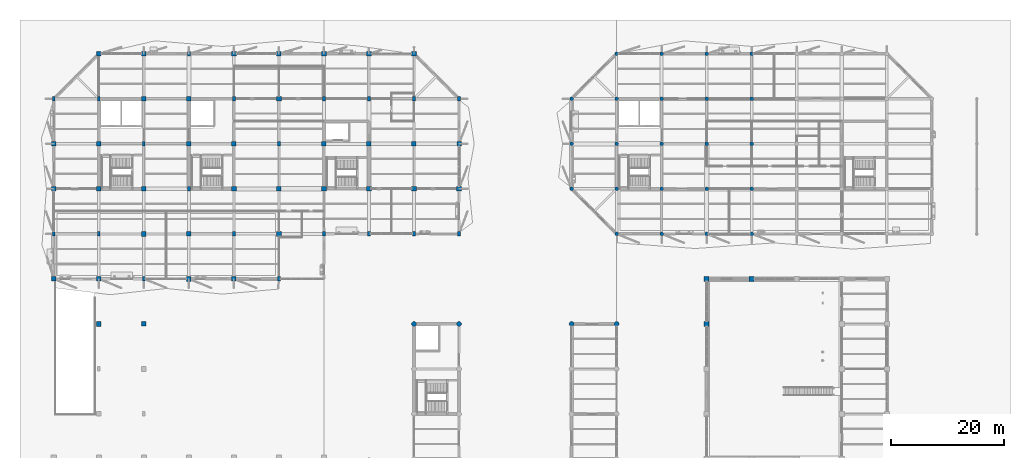
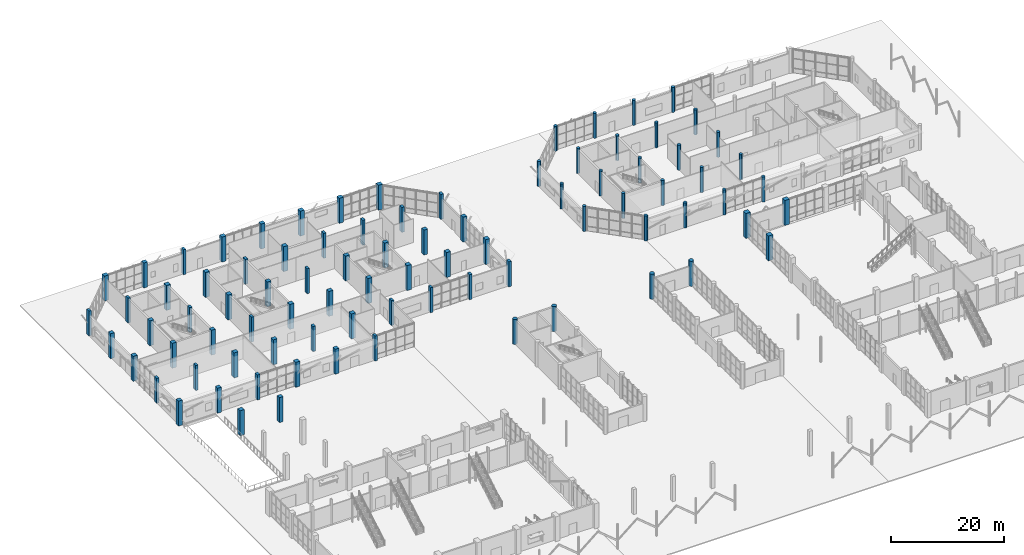
# One storey, part 11 of 123: 86 columns.
"""IFC4 building model written with IfcOpenShell, lengths in metres."""

import ifcopenshell
import ifcopenshell.guid

model = None  # the IFC model being written
_history = None  # IfcOwnerHistory: only IFC2X3 demands one
_inside = {}  # id of a spatial element -> (the spatial element, [elements in it])
_under = {}  # id of a project, library or spatial element -> (it, [spatial elements below it])
_declared = {}  # id of a project -> (the project, [libraries it declares])
_typed = {}  # id of a type object -> (the type object, [elements of that type])
_made_of = {}  # id of a material, layer set ... -> (it, [elements and type objects made of it])


def new_model(schema):
    """Start an empty IFC model of exactly this schema.

    Asked for "IFC4X3", IfcOpenShell would pick the latest addendum, in which some entities
    have other attributes; the version numbers below select the first issue.
    IFC2X3 requires an IfcOwnerHistory on every rooted entity: one is made here for all.
    """
    global model, _history
    if schema == "IFC4X3":
        model = ifcopenshell.file(schema_version=(4, 3, 0, 0))
    else:
        model = ifcopenshell.file(schema=schema)
    _inside.clear()
    _under.clear()
    _declared.clear()
    _typed.clear()
    _made_of.clear()
    _history = None
    if model.schema == "IFC2X3":
        org = make("IfcOrganization", Name="unknown")
        user = make(
            "IfcPersonAndOrganization",
            ThePerson=make("IfcPerson", FamilyName="unknown"),
            TheOrganization=org,
        )
        app = make(
            "IfcApplication",
            ApplicationDeveloper=org,
            Version="unknown",
            ApplicationFullName="unknown",
            ApplicationIdentifier="unknown",
        )
        _history = make(
            "IfcOwnerHistory",
            OwningUser=user,
            OwningApplication=app,
            ChangeAction="ADDED",
            CreationDate=0,
        )
    return model


def make(cls, **values):
    """One entity of the class cls with the attributes given. An attribute that is None is left unset."""
    return model.create_entity(
        cls, **{name: value for name, value in values.items() if value is not None}
    )


def rooted(cls, **values):
    """An entity with a GlobalId (a new one), such as an element, a storey or a relation."""
    return make(cls, GlobalId=ifcopenshell.guid.new(), OwnerHistory=_history, **values)


def si_unit(unit_type, name, prefix=None):
    """IfcSIUnit, for example si_unit("LENGTHUNIT", "METRE", prefix="MILLI")."""
    return make("IfcSIUnit", UnitType=unit_type, Prefix=prefix, Name=name)


def assignment(units):
    """IfcUnitAssignment: the units of a project."""
    return None if units is None else make("IfcUnitAssignment", Units=units)


def point(xyz):
    """IfcCartesianPoint."""
    return None if xyz is None else make("IfcCartesianPoint", Coordinates=xyz)


def direction(xyz):
    """IfcDirection."""
    return None if xyz is None else make("IfcDirection", DirectionRatios=xyz)


def frame(location, z_axis=None, x_axis=None):
    """IfcAxis2Placement3D, a coordinate frame: its origin and axes. An axis left out is left unset."""
    return make(
        "IfcAxis2Placement3D",
        Location=point(location),
        Axis=direction(z_axis),
        RefDirection=direction(x_axis),
    )


def frame_2d(location, x_axis=None):
    """IfcAxis2Placement2D, a coordinate frame in the plane: its origin and x axis."""
    return make(
        "IfcAxis2Placement2D", Location=point(location), RefDirection=direction(x_axis)
    )


def origin():
    """The frame at (0, 0, 0) with its axes left unset."""
    return frame((0.0, 0.0, 0.0))


def origin_2d():
    """The frame at (0, 0) in the plane with its x axis left unset."""
    return frame_2d((0.0, 0.0))


def place(relative_to, where):
    """IfcLocalPlacement: puts the frame where relative to a parent placement (None: the world)."""
    return make(
        "IfcLocalPlacement", PlacementRelTo=relative_to, RelativePlacement=where
    )


def context(
    kind, dimensions, precision=None, world=None, true_north=None, identifier=None
):
    """IfcGeometricRepresentationContext, for example the 3D "Model" context."""
    return make(
        "IfcGeometricRepresentationContext",
        ContextIdentifier=identifier,
        ContextType=kind,
        CoordinateSpaceDimension=dimensions,
        Precision=precision,
        WorldCoordinateSystem=world,
        TrueNorth=true_north,
    )


def subcontext(parent, identifier, kind, view, scale=None):
    """IfcGeometricRepresentationSubContext, for example "Body" below "Model"."""
    return make(
        "IfcGeometricRepresentationSubContext",
        ContextIdentifier=identifier,
        ContextType=kind,
        ParentContext=parent,
        TargetScale=scale,
        TargetView=view,
    )


def project(units=None, contexts=None):
    """IfcProject with its units and contexts."""
    return rooted(
        "IfcProject",
        Name="project",
        RepresentationContexts=contexts,
        UnitsInContext=assignment(units),
    )


def spatial(cls, under=None, at=None, **own):
    """A site, building, storey or space (cls), placed at a placement, below another one or the project."""
    s = rooted(cls, ObjectPlacement=at, **own)
    if under is not None:
        _under.setdefault(under.id(), (under, []))[1].append(s)
    return s


def profile(cls, at=None, kind="AREA", **sizes):
    """A parametric profile (cls). Its sizes go by their IFC names, for example OverallWidth=200.0."""
    return make(cls, ProfileType=kind, Position=at, **sizes)


def rectangle(**sizes):
    """IfcRectangleProfileDef."""
    return profile("IfcRectangleProfileDef", **sizes)


def circle(**sizes):
    """IfcCircleProfileDef."""
    return profile("IfcCircleProfileDef", **sizes)


def extrude(swept, where, along, depth):
    """IfcExtrudedAreaSolid: the profile swept, set in the frame where, extruded along a direction by depth."""
    return make(
        "IfcExtrudedAreaSolid",
        SweptArea=swept,
        Position=where,
        ExtrudedDirection=direction(along),
        Depth=depth,
    )


def shape(context_of_items, identifier, shape_type, items):
    """IfcShapeRepresentation: the items that make up one representation, for example the "Body"."""
    return make(
        "IfcShapeRepresentation",
        ContextOfItems=context_of_items,
        RepresentationIdentifier=identifier,
        RepresentationType=shape_type,
        Items=items,
    )


def material(Name=None, Category=None):
    """IfcMaterial."""
    return make("IfcMaterial", Name=Name, Category=Category)


def material_profile(
    of_material, cross_section, Name=None, Category=None, Priority=None
):
    """IfcMaterialProfile: a cross section and its material."""
    return make(
        "IfcMaterialProfile",
        Name=Name,
        Material=of_material,
        Profile=cross_section,
        Priority=Priority,
        Category=Category,
    )


def profile_set(profiles, Name=None, composite=None):
    """IfcMaterialProfileSet."""
    return make(
        "IfcMaterialProfileSet",
        Name=Name,
        MaterialProfiles=profiles,
        CompositeProfile=composite,
    )


def made_of(thing, what):
    """Note that an element or type object is made of a material, layer set ...; save() writes the relation."""
    if what is not None:
        _made_of.setdefault(what.id(), (what, []))[1].append(thing)
    return thing


def type_object(cls, material=None, **own):
    """A type object (cls), such as IfcWallType, which elements share."""
    return made_of(rooted(cls, **own), material)


def element(
    cls,
    number,
    at=None,
    inside=None,
    cuts=None,
    type_object=None,
    material=None,
    context=None,
    identifier="Body",
    shape_type=None,
    held_by="IfcProductDefinitionShape",
    body=None,
    shapes=None,
    **own,
):
    """One element of the class cls, such as IfcWall. Its Tag is "e" and its number.

    at: its placement. inside: the storey or other place that contains it. cuts: it is an
    opening in that element (IfcRelVoidsElement). A single representation is given by context,
    identifier, shape_type and body (its items); several are given by shapes. held_by: the class
    of the entity that holds the representations. save() writes the other relations.
    """
    e = rooted(cls, Tag="e%d" % number, ObjectPlacement=at, **own)
    if body is not None:
        shapes = [shape(context, identifier, shape_type, body)]
    if shapes is not None:
        e.Representation = make(held_by, Representations=shapes)
    if inside is not None:
        _inside.setdefault(inside.id(), (inside, []))[1].append(e)
    if cuts is not None:
        rooted(
            "IfcRelVoidsElement", RelatingBuildingElement=cuts, RelatedOpeningElement=e
        )
    if type_object is not None:
        _typed.setdefault(type_object.id(), (type_object, []))[1].append(e)
    return made_of(e, material)


def aggregate(whole, parts):
    """IfcRelAggregates: a whole, such as a stair, and the parts it consists of."""
    return rooted("IfcRelAggregates", RelatingObject=whole, RelatedObjects=parts)


def save(model, path):
    """Write the relations noted so far, then the file.

    IfcRelAggregates (storeys below a building ...), IfcRelContainedInSpatialStructure (elements
    in a storey), IfcRelDefinesByType, IfcRelAssociatesMaterial and IfcRelDeclares: one each for
    every whole, place, type object, material and project.
    """
    for whole, parts in _under.values():
        aggregate(whole, parts)
    for where, things in _inside.values():
        rooted(
            "IfcRelContainedInSpatialStructure",
            RelatedElements=things,
            RelatingStructure=where,
        )
    for kind, things in _typed.values():
        rooted("IfcRelDefinesByType", RelatedObjects=things, RelatingType=kind)
    for what, things in _made_of.values():
        rooted("IfcRelAssociatesMaterial", RelatedObjects=things, RelatingMaterial=what)
    for by, libraries in _declared.values():
        rooted("IfcRelDeclares", RelatingContext=by, RelatedDefinitions=libraries)
    model.write(path)


model = new_model("IFC4")

# Units and contexts
model_context = context("Model", 3, precision=1e-05, world=origin(), true_north=direction((0.0, 1.0)))
body_context = subcontext(model_context, "Body", "Model", "MODEL_VIEW")
ifc_project = project(units=[si_unit("LENGTHUNIT", "METRE"), si_unit("AREAUNIT", "SQUARE_METRE"), si_unit("VOLUMEUNIT", "CUBIC_METRE"), si_unit("PLANEANGLEUNIT", "RADIAN"), si_unit("MASSUNIT", "GRAM", prefix="KILO")], contexts=[model_context])

# Site, building, storey
site_placement = place(None, origin())
site = spatial("IfcSite", under=ifc_project, at=site_placement, CompositionType="ELEMENT")
building_placement = place(site_placement, origin())
building = spatial("IfcBuilding", under=site, at=building_placement, Name="Tenunan Teduh Sports Hall", CompositionType="ELEMENT")
storey_placement = place(building_placement, origin())
storey = spatial("IfcBuildingStorey", under=building, at=storey_placement, Name="L00", CompositionType="ELEMENT", Elevation=0.0)

# Columns
ifc_material_1 = material(Name="Concrete C40/50", Category="concrete")
ifc_material_profile_1 = material_profile(ifc_material_1, rectangle(XDim=0.5, YDim=0.800048828125, at=origin_2d()), Name="RC 500x800")
ifc_profile_set_1 = profile_set([ifc_material_profile_1], Name="Concrete C40/50")
column_type_1 = type_object("IfcColumnType", Name="COL-RC-500x800", PredefinedType="COLUMN", material=ifc_profile_set_1)
for number, where, z_axis, x_axis, name in (
    (1, (6.0, 86.0, 0.0), (0.0, 0.0, 1.0), (1.0, 0.0, 0.0), "COL-C-18-L00-011"),
    (2, (6.0, 110.0, 0.0), (0.0, 0.0, 1.0), (1.0, 0.0, 0.0), "COL-C-18-L00-014"),
    (3, (14.0, 86.0, 0.0), (0.0, 0.0, 1.0), (1.0, 0.0, 0.0), "COL-C-18-L00-023"),
    (4, (14.0, 110.0, 0.0), (0.0, 0.0, 1.0), (1.0, 0.0, 0.0), "COL-C-18-L00-026"),
    (5, (22.0, 78.0, 0.0), (0.0, 0.0, 1.0), (1.0, 0.0, 0.0), "COL-C-18-L00-035"),
    (6, (22.0, 102.0, 0.0), (0.0, 0.0, 1.0), (1.0, 0.0, 0.0), "COL-C-18-L00-038"),
    (7, (30.0, 94.0, 0.0), (0.0, 0.0, 1.0), (1.0, 0.0, 0.0), "COL-C-18-L00-047"),
    (8, (30.0, 118.0, 0.0), (0.0, 0.0, 1.0), (1.0, 0.0, 0.0), "COL-C-18-L00-050"),
    (9, (38.0, 86.0, 0.0), (0.0, 0.0, 1.0), (1.0, 0.0, 0.0), "COL-C-18-L00-056"),
    (10, (38.0, 110.0, 0.0), (0.0, 0.0, 1.0), (1.0, 0.0, 0.0), "COL-C-18-L00-059"),
    (11, (46.0, 78.0, 0.0), (0.0, 0.0, 1.0), (1.0, 0.0, 0.0), "COL-C-18-L00-065"),
    (12, (46.0, 102.0, 0.0), (0.0, 0.0, 1.0), (1.0, 0.0, 0.0), "COL-C-18-L00-068"),
    (13, (54.0, 86.0, 0.0), (0.0, 0.0, 1.0), (1.0, 0.0, 0.0), "COL-C-18-L00-080"),
    (14, (54.0, 110.0, 0.0), (0.0, 0.0, 1.0), (1.0, 0.0, 0.0), "COL-C-18-L00-083"),
    (15, (62.0, 86.0, 0.0), (0.0, 0.0, 1.0), (1.0, 0.0, 0.0), "COL-C-18-L00-092"),
    (16, (62.0, 110.0, 0.0), (0.0, 0.0, 1.0), (1.0, 0.0, 0.0), "COL-C-18-L00-095"),
    (17, (70.0, 86.0, 0.0), (0.0, 0.0, 1.0), (1.0, 0.0, 0.0), "COL-C-18-L00-104"),
    (18, (70.0, 110.0, 0.0), (0.0, 0.0, 1.0), (1.0, 0.0, 0.0), "COL-C-18-L00-107"),
    (19, (78.0, 86.0, 0.0), (0.0, 0.0, 1.0), (1.0, 0.0, 0.0), "COL-C-18-L00-116"),
    (20, (78.0, 110.0, 0.0), (0.0, 0.0, 1.0), (1.0, 0.0, 0.0), "COL-C-18-L00-119"),
):
    element("IfcColumn", number, at=place(storey_placement, frame(where, z_axis=z_axis, x_axis=x_axis)), inside=storey, type_object=column_type_1, Name=name, PredefinedType="COLUMN", context=body_context, shape_type="SweptSolid", body=[
        extrude(rectangle(XDim=0.5, YDim=0.800048828125, at=origin_2d()), origin(), (0.0, 0.0, 1.0), 5.39990234375),
    ])
ifc_material_2 = material(Name="Concrete C40/50", Category="concrete")
ifc_material_profile_2 = material_profile(ifc_material_2, rectangle(XDim=0.800048828125, YDim=0.800048828125, at=origin_2d()), Name="RC 800x800")
ifc_profile_set_2 = profile_set([ifc_material_profile_2], Name="Concrete C40/50")
column_type_2 = type_object("IfcColumnType", Name="COL-RC-800", PredefinedType="COLUMN", material=ifc_profile_set_2)
for number, where, z_axis, x_axis, name in (
    (21, (6.0, 78.0, 0.0), (0.0, 0.0, 1.0), (1.0, 0.0, 0.0), "COL-C-05-L00-010"),
    (22, (6.0, 102.0, 0.0), (0.0, 0.0, 1.0), (1.0, 0.0, 0.0), "COL-C-05-L00-013"),
    (23, (14.0, 78.0, 0.0), (0.0, 0.0, 1.0), (1.0, 0.0, 0.0), "COL-C-05-L00-022"),
    (24, (14.0, 102.0, 0.0), (0.0, 0.0, 1.0), (1.0, 0.0, 0.0), "COL-C-05-L00-025"),
    (25, (22.0, 70.0, 0.0), (0.0, 0.0, 1.0), (1.0, 0.0, 0.0), "COL-C-05-L00-034"),
    (26, (22.0, 94.0, 0.0), (0.0, 0.0, 1.0), (1.0, 0.0, 0.0), "COL-C-05-L00-037"),
    (27, (22.0, 118.0, 0.0), (0.0, 0.0, 1.0), (1.0, 0.0, 0.0), "COL-C-05-L00-040"),
    (28, (30.0, 86.0, 0.0), (0.0, 0.0, 1.0), (1.0, 0.0, 0.0), "COL-C-05-L00-046"),
    (29, (30.0, 110.0, 0.0), (0.0, 0.0, 1.0), (1.0, 0.0, 0.0), "COL-C-05-L00-049"),
    (30, (38.0, 78.0, 0.0), (0.0, 0.0, 1.0), (1.0, 0.0, 0.0), "COL-C-05-L00-055"),
    (31, (38.0, 102.0, 0.0), (0.0, 0.0, 1.0), (1.0, 0.0, 0.0), "COL-C-05-L00-058"),
    (32, (46.0, 94.0, 0.0), (0.0, 0.0, 1.0), (1.0, 0.0, 0.0), "COL-C-05-L00-067"),
    (33, (46.0, 118.0, 0.0), (0.0, 0.0, 1.0), (1.0, 0.0, 0.0), "COL-C-05-L00-070"),
    (34, (54.0, 102.0, 0.0), (0.0, 0.0, 1.0), (1.0, 0.0, 0.0), "COL-C-05-L00-082"),
    (35, (62.0, 102.0, 0.0), (0.0, 0.0, 1.0), (1.0, 0.0, 0.0), "COL-C-05-L00-094"),
    (36, (70.0, 102.0, 0.0), (0.0, 0.0, 1.0), (1.0, 0.0, 0.0), "COL-C-05-L00-106"),
    (37, (78.0, 102.0, 0.0), (0.0, 0.0, 1.0), (1.0, 0.0, 0.0), "COL-C-05-L00-118"),
):
    element("IfcColumn", number, at=place(storey_placement, frame(where, z_axis=z_axis, x_axis=x_axis)), inside=storey, type_object=column_type_2, Name=name, PredefinedType="COLUMN", context=body_context, shape_type="SweptSolid", body=[
        extrude(rectangle(XDim=0.800048828125, YDim=0.800048828125, at=origin_2d()), origin(), (0.0, 0.0, 1.0), 5.39990234375),
    ])
ifc_material_3 = material(Name="Concrete C40/50", Category="concrete")
ifc_material_profile_3 = material_profile(ifc_material_3, rectangle(XDim=0.85009765625, YDim=0.85009765625, at=origin_2d()), Name="RC 850x850")
ifc_profile_set_3 = profile_set([ifc_material_profile_3], Name="Concrete C40/50")
column_type_3 = type_object("IfcColumnType", Name="COL-RC-850", PredefinedType="COLUMN", material=ifc_profile_set_3)
for number, where, z_axis, x_axis, name in (
    (38, (6.0, 94.0, 0.0), (0.0, 0.0, 1.0), (1.0, 0.0, 0.0), "COL-C-04-L00-012"),
    (39, (14.0, 70.0, 0.0), (0.0, 0.0, 1.0), (1.0, 0.0, 0.0), "COL-C-04-L00-021"),
    (40, (14.0, 94.0, 0.0), (0.0, 0.0, 1.0), (1.0, 0.0, 0.0), "COL-C-04-L00-024"),
    (41, (14.0, 118.0, 0.0), (0.0, 0.0, 1.0), (1.0, 0.0, 0.0), "COL-C-04-L00-027"),
    (42, (22.0, 86.0, 0.0), (0.0, 0.0, 1.0), (1.0, 0.0, 0.0), "COL-C-04-L00-036"),
    (43, (22.0, 110.0, 0.0), (0.0, 0.0, 1.0), (1.0, 0.0, 0.0), "COL-C-04-L00-039"),
    (44, (30.0, 78.0, 0.0), (0.0, 0.0, 1.0), (1.0, 0.0, 0.0), "COL-C-04-L00-045"),
    (45, (30.0, 102.0, 0.0), (0.0, 0.0, 1.0), (1.0, 0.0, 0.0), "COL-C-04-L00-048"),
    (46, (38.0, 94.0, 0.0), (0.0, 0.0, 1.0), (1.0, 0.0, 0.0), "COL-C-04-L00-057"),
    (47, (38.0, 118.0, 0.0), (0.0, 0.0, 1.0), (1.0, 0.0, 0.0), "COL-C-04-L00-060"),
    (48, (46.0, 86.0, 0.0), (0.0, 0.0, 1.0), (1.0, 0.0, 0.0), "COL-C-04-L00-066"),
    (49, (46.0, 110.0, 0.0), (0.0, 0.0, 1.0), (1.0, 0.0, 0.0), "COL-C-04-L00-069"),
    (50, (54.0, 94.0, 0.0), (0.0, 0.0, 1.0), (1.0, 0.0, 0.0), "COL-C-04-L00-081"),
    (51, (54.0, 118.0, 0.0), (0.0, 0.0, 1.0), (1.0, 0.0, 0.0), "COL-C-04-L00-084"),
    (52, (62.0, 94.0, 0.0), (0.0, 0.0, 1.0), (1.0, 0.0, 0.0), "COL-C-04-L00-093"),
    (53, (62.0, 118.0, 0.0), (0.0, 0.0, 1.0), (1.0, 0.0, 0.0), "COL-C-04-L00-096"),
    (54, (70.0, 94.0, 0.0), (0.0, 0.0, 1.0), (1.0, 0.0, 0.0), "COL-C-04-L00-105"),
    (55, (70.0, 118.0, 0.0), (0.0, 0.0, 1.0), (1.0, 0.0, 0.0), "COL-C-04-L00-108"),
    (56, (78.0, 94.0, 0.0), (0.0, 0.0, 1.0), (1.0, 0.0, 0.0), "COL-C-04-L00-117"),
):
    element("IfcColumn", number, at=place(storey_placement, frame(where, z_axis=z_axis, x_axis=x_axis)), inside=storey, type_object=column_type_3, Name=name, PredefinedType="COLUMN", context=body_context, shape_type="SweptSolid", body=[
        extrude(rectangle(XDim=0.85009765625, YDim=0.85009765625, at=origin_2d()), origin(), (0.0, 0.0, 1.0), 5.39990234375),
    ])
ifc_material_4 = material(Name="Concrete C40/50", Category="concrete")
ifc_material_profile_4 = material_profile(ifc_material_4, rectangle(XDim=0.89990234375, YDim=0.89990234375, at=origin_2d()), Name="RC 900x900")
ifc_profile_set_4 = profile_set([ifc_material_profile_4], Name="Concrete C40/50")
column_type_4 = type_object("IfcColumnType", Name="COL-RC-900", PredefinedType="COLUMN", material=ifc_profile_set_4)
for number, where, z_axis, x_axis, name in (
    (57, (122.0, 70.0, 0.0), (0.0, 0.0, 1.0), (1.0, 0.0, 0.0), "COL-C-03-L00-159"),
    (58, (122.0, 78.0, 0.0), (0.0, 0.0, 1.0), (1.0, 0.0, 0.0), "COL-C-03-L00-160"),
    (59, (130.0, 78.0, 0.0), (0.0, 0.0, 1.0), (1.0, 0.0, 0.0), "COL-C-03-L00-170"),
):
    element("IfcColumn", number, at=place(storey_placement, frame(where, z_axis=z_axis, x_axis=x_axis)), inside=storey, type_object=column_type_4, Name=name, PredefinedType="COLUMN", context=body_context, shape_type="SweptSolid", body=[
        extrude(rectangle(XDim=0.89990234375, YDim=0.89990234375, at=origin_2d()), origin(), (0.0, 0.0, 1.0), 5.39990234375),
    ])
ifc_material_5 = material(Name="Concrete C40/50", Category="concrete")
ifc_material_profile_5 = material_profile(ifc_material_5, circle(Radius=0.324951171875, at=origin_2d()), Name="RCC D650")
ifc_profile_set_5 = profile_set([ifc_material_profile_5], Name="Concrete C40/50")
column_type_5 = type_object("IfcColumnType", Name="COL-RCC-650", PredefinedType="COLUMN", material=ifc_profile_set_5)
for number, where, z_axis, x_axis, name in (
    (60, (98.0, 94.0, 0.0), (0.0, 0.0, 1.0), (1.0, 0.0, 0.0), "COL-C-21-L00-127"),
    (61, (98.0, 102.0, 0.0), (0.0, 0.0, 1.0), (1.0, 0.0, 0.0), "COL-C-21-L00-128"),
    (62, (98.0, 110.0, 0.0), (0.0, 0.0, 1.0), (1.0, 0.0, 0.0), "COL-C-21-L00-129"),
    (63, (106.0, 86.0, 0.0), (0.0, 0.0, 1.0), (1.0, 0.0, 0.0), "COL-C-21-L00-137"),
    (64, (106.0, 94.0, 0.0), (0.0, 0.0, 1.0), (1.0, 0.0, 0.0), "COL-C-21-L00-138"),
    (65, (106.0, 102.0, 0.0), (0.0, 0.0, 1.0), (1.0, 0.0, 0.0), "COL-C-21-L00-139"),
    (66, (106.0, 110.0, 0.0), (0.0, 0.0, 1.0), (1.0, 0.0, 0.0), "COL-C-21-L00-140"),
    (67, (106.0, 118.0, 0.0), (0.0, 0.0, 1.0), (1.0, 0.0, 0.0), "COL-C-21-L00-141"),
    (68, (114.0, 86.0, 0.0), (0.0, 0.0, 1.0), (1.0, 0.0, 0.0), "COL-C-21-L00-146"),
    (69, (114.0, 94.0, 0.0), (0.0, 0.0, 1.0), (1.0, 0.0, 0.0), "COL-C-21-L00-147"),
    (70, (114.0, 102.0, 0.0), (0.0, 0.0, 1.0), (1.0, 0.0, 0.0), "COL-C-21-L00-148"),
    (71, (114.0, 110.0, 0.0), (0.0, 0.0, 1.0), (1.0, 0.0, 0.0), "COL-C-21-L00-149"),
    (72, (114.0, 118.0, 0.0), (0.0, 0.0, 1.0), (1.0, 0.0, 0.0), "COL-C-21-L00-150"),
    (73, (122.0, 86.0, 0.0), (0.0, 0.0, 1.0), (1.0, 0.0, 0.0), "COL-C-21-L00-161"),
    (74, (122.0, 94.0, 0.0), (0.0, 0.0, 1.0), (1.0, 0.0, 0.0), "COL-C-21-L00-162"),
    (75, (122.0, 102.0, 0.0), (0.0, 0.0, 1.0), (1.0, 0.0, 0.0), "COL-C-21-L00-163"),
    (76, (122.0, 110.0, 0.0), (0.0, 0.0, 1.0), (1.0, 0.0, 0.0), "COL-C-21-L00-164"),
    (77, (122.0, 118.0, 0.0), (0.0, 0.0, 1.0), (1.0, 0.0, 0.0), "COL-C-21-L00-165"),
    (78, (130.0, 86.0, 0.0), (0.0, 0.0, 1.0), (1.0, 0.0, 0.0), "COL-C-21-L00-171"),
    (79, (130.0, 94.0, 0.0), (0.0, 0.0, 1.0), (1.0, 0.0, 0.0), "COL-C-21-L00-172"),
    (80, (130.0, 102.0, 0.0), (0.0, 0.0, 1.0), (1.0, 0.0, 0.0), "COL-C-21-L00-173"),
    (81, (130.0, 110.0, 0.0), (0.0, 0.0, 1.0), (1.0, 0.0, 0.0), "COL-C-21-L00-174"),
    (82, (130.0, 118.0, 0.0), (0.0, 0.0, 1.0), (1.0, 0.0, 0.0), "COL-C-21-L00-175"),
):
    element("IfcColumn", number, at=place(storey_placement, frame(where, z_axis=z_axis, x_axis=x_axis)), inside=storey, type_object=column_type_5, Name=name, PredefinedType="COLUMN", context=body_context, shape_type="SweptSolid", body=[
        extrude(circle(Radius=0.324951171875, at=origin_2d()), origin(), (0.0, 0.0, 1.0), 5.39990234375),
    ])
ifc_material_6 = material(Name="Concrete C40/50", Category="concrete")
ifc_material_profile_6 = material_profile(ifc_material_6, circle(Radius=0.425048828125, at=origin_2d()), Name="RCC D850")
ifc_profile_set_6 = profile_set([ifc_material_profile_6], Name="Concrete C40/50")
column_type_6 = type_object("IfcColumnType", Name="COL-RCC-850", PredefinedType="COLUMN", material=ifc_profile_set_6)
for number, where, z_axis, x_axis, name in (
    (83, (70.0, 70.0, 0.0), (0.0, 0.0, 1.0), (1.0, 0.0, 0.0), "COL-C-19-L00-103"),
    (84, (78.0, 70.0, 0.0), (0.0, 0.0, 1.0), (1.0, 0.0, 0.0), "COL-C-19-L00-115"),
    (85, (98.0, 70.0, 0.0), (0.0, 0.0, 1.0), (1.0, 0.0, 0.0), "COL-C-19-L00-126"),
    (86, (106.0, 70.0, 0.0), (0.0, 0.0, 1.0), (1.0, 0.0, 0.0), "COL-C-19-L00-136"),
):
    element("IfcColumn", number, at=place(storey_placement, frame(where, z_axis=z_axis, x_axis=x_axis)), inside=storey, type_object=column_type_6, Name=name, PredefinedType="COLUMN", context=body_context, shape_type="SweptSolid", body=[
        extrude(circle(Radius=0.425048828125, at=origin_2d()), origin(), (0.0, 0.0, 1.0), 5.39990234375),
    ])

save(model, "model.ifc")
